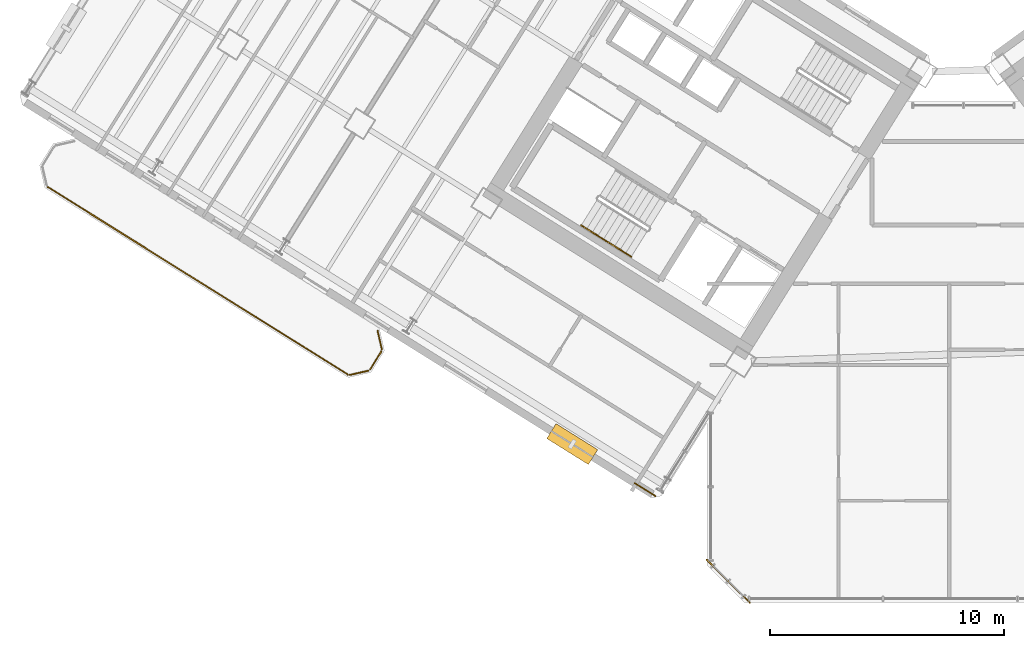
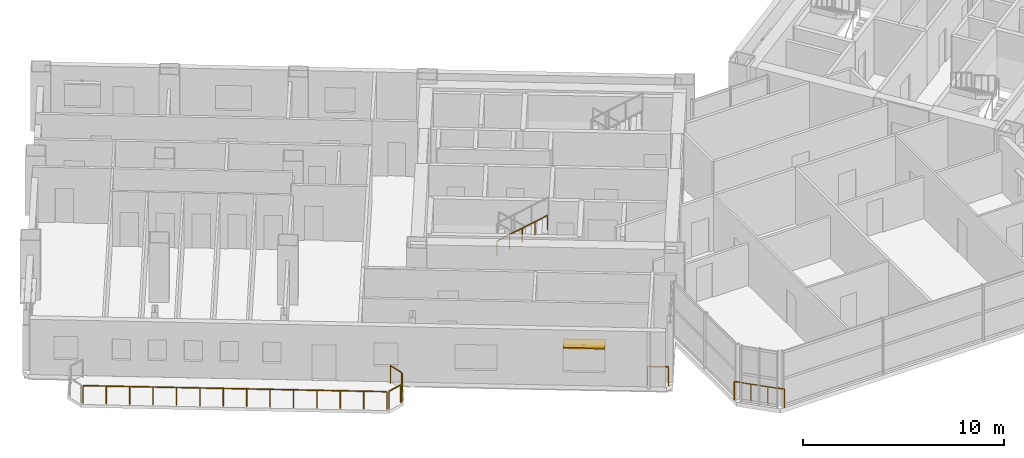
# One storey, part 21 of 24: 8 railings, 1 shading device.
"""IFC4 building model written with IfcOpenShell, lengths in metres."""

import ifcopenshell
import ifcopenshell.guid

model = None  # the IFC model being written
_history = None  # IfcOwnerHistory: only IFC2X3 demands one
_inside = {}  # id of a spatial element -> (the spatial element, [elements in it])
_under = {}  # id of a project, library or spatial element -> (it, [spatial elements below it])
_declared = {}  # id of a project -> (the project, [libraries it declares])
_typed = {}  # id of a type object -> (the type object, [elements of that type])
_made_of = {}  # id of a material, layer set ... -> (it, [elements and type objects made of it])


def new_model(schema):
    """Start an empty IFC model of exactly this schema.

    Asked for "IFC4X3", IfcOpenShell would pick the latest addendum, in which some entities
    have other attributes; the version numbers below select the first issue.
    IFC2X3 requires an IfcOwnerHistory on every rooted entity: one is made here for all.
    """
    global model, _history
    if schema == "IFC4X3":
        model = ifcopenshell.file(schema_version=(4, 3, 0, 0))
    else:
        model = ifcopenshell.file(schema=schema)
    _inside.clear()
    _under.clear()
    _declared.clear()
    _typed.clear()
    _made_of.clear()
    _history = None
    if model.schema == "IFC2X3":
        org = make("IfcOrganization", Name="unknown")
        user = make(
            "IfcPersonAndOrganization",
            ThePerson=make("IfcPerson", FamilyName="unknown"),
            TheOrganization=org,
        )
        app = make(
            "IfcApplication",
            ApplicationDeveloper=org,
            Version="unknown",
            ApplicationFullName="unknown",
            ApplicationIdentifier="unknown",
        )
        _history = make(
            "IfcOwnerHistory",
            OwningUser=user,
            OwningApplication=app,
            ChangeAction="ADDED",
            CreationDate=0,
        )
    return model


def make(cls, **values):
    """One entity of the class cls with the attributes given. An attribute that is None is left unset."""
    return model.create_entity(
        cls, **{name: value for name, value in values.items() if value is not None}
    )


def rooted(cls, **values):
    """An entity with a GlobalId (a new one), such as an element, a storey or a relation."""
    return make(cls, GlobalId=ifcopenshell.guid.new(), OwnerHistory=_history, **values)


def si_unit(unit_type, name, prefix=None):
    """IfcSIUnit, for example si_unit("LENGTHUNIT", "METRE", prefix="MILLI")."""
    return make("IfcSIUnit", UnitType=unit_type, Prefix=prefix, Name=name)


def assignment(units):
    """IfcUnitAssignment: the units of a project."""
    return None if units is None else make("IfcUnitAssignment", Units=units)


def point(xyz):
    """IfcCartesianPoint."""
    return None if xyz is None else make("IfcCartesianPoint", Coordinates=xyz)


def direction(xyz):
    """IfcDirection."""
    return None if xyz is None else make("IfcDirection", DirectionRatios=xyz)


def frame(location, z_axis=None, x_axis=None):
    """IfcAxis2Placement3D, a coordinate frame: its origin and axes. An axis left out is left unset."""
    return make(
        "IfcAxis2Placement3D",
        Location=point(location),
        Axis=direction(z_axis),
        RefDirection=direction(x_axis),
    )


def frame_2d(location, x_axis=None):
    """IfcAxis2Placement2D, a coordinate frame in the plane: its origin and x axis."""
    return make(
        "IfcAxis2Placement2D", Location=point(location), RefDirection=direction(x_axis)
    )


def origin():
    """The frame at (0, 0, 0) with its axes left unset."""
    return frame((0.0, 0.0, 0.0))


def origin_2d():
    """The frame at (0, 0) in the plane with its x axis left unset."""
    return frame_2d((0.0, 0.0))


def place(relative_to, where):
    """IfcLocalPlacement: puts the frame where relative to a parent placement (None: the world)."""
    return make(
        "IfcLocalPlacement", PlacementRelTo=relative_to, RelativePlacement=where
    )


def context(
    kind, dimensions, precision=None, world=None, true_north=None, identifier=None
):
    """IfcGeometricRepresentationContext, for example the 3D "Model" context."""
    return make(
        "IfcGeometricRepresentationContext",
        ContextIdentifier=identifier,
        ContextType=kind,
        CoordinateSpaceDimension=dimensions,
        Precision=precision,
        WorldCoordinateSystem=world,
        TrueNorth=true_north,
    )


def subcontext(parent, identifier, kind, view, scale=None):
    """IfcGeometricRepresentationSubContext, for example "Body" below "Model"."""
    return make(
        "IfcGeometricRepresentationSubContext",
        ContextIdentifier=identifier,
        ContextType=kind,
        ParentContext=parent,
        TargetScale=scale,
        TargetView=view,
    )


def project(units=None, contexts=None):
    """IfcProject with its units and contexts."""
    return rooted(
        "IfcProject",
        Name="project",
        RepresentationContexts=contexts,
        UnitsInContext=assignment(units),
    )


def spatial(cls, under=None, at=None, **own):
    """A site, building, storey or space (cls), placed at a placement, below another one or the project."""
    s = rooted(cls, ObjectPlacement=at, **own)
    if under is not None:
        _under.setdefault(under.id(), (under, []))[1].append(s)
    return s


def profile(cls, at=None, kind="AREA", **sizes):
    """A parametric profile (cls). Its sizes go by their IFC names, for example OverallWidth=200.0."""
    return make(cls, ProfileType=kind, Position=at, **sizes)


def rectangle(**sizes):
    """IfcRectangleProfileDef."""
    return profile("IfcRectangleProfileDef", **sizes)


def extrude(swept, where, along, depth):
    """IfcExtrudedAreaSolid: the profile swept, set in the frame where, extruded along a direction by depth."""
    return make(
        "IfcExtrudedAreaSolid",
        SweptArea=swept,
        Position=where,
        ExtrudedDirection=direction(along),
        Depth=depth,
    )


def shape(context_of_items, identifier, shape_type, items):
    """IfcShapeRepresentation: the items that make up one representation, for example the "Body"."""
    return make(
        "IfcShapeRepresentation",
        ContextOfItems=context_of_items,
        RepresentationIdentifier=identifier,
        RepresentationType=shape_type,
        Items=items,
    )


def source(mapping_origin, context_of_items, identifier, shape_type, items):
    """IfcRepresentationMap: a shape defined once, which mapped items show again and again."""
    return make(
        "IfcRepresentationMap",
        MappingOrigin=mapping_origin,
        MappedRepresentation=shape(context_of_items, identifier, shape_type, items),
    )


def transform(
    local_origin,
    x_axis=None,
    y_axis=None,
    z_axis=None,
    scale=None,
    scale2=None,
    scale3=None,
    uniform=True,
):
    """IfcCartesianTransformationOperator3D, or its non-uniform kind. x_axis, y_axis, z_axis: its Axis1, 2, 3."""
    if uniform:
        return make(
            "IfcCartesianTransformationOperator3D",
            Axis1=direction(x_axis),
            Axis2=direction(y_axis),
            LocalOrigin=point(local_origin),
            Scale=scale,
            Axis3=direction(z_axis),
        )
    return make(
        "IfcCartesianTransformationOperator3DnonUniform",
        Axis1=direction(x_axis),
        Axis2=direction(y_axis),
        LocalOrigin=point(local_origin),
        Scale=scale,
        Axis3=direction(z_axis),
        Scale2=scale2,
        Scale3=scale3,
    )


def mapped(mapping_source, mapping_target):
    """IfcMappedItem: shows the shape of a source again, moved by a transform."""
    return make(
        "IfcMappedItem", MappingSource=mapping_source, MappingTarget=mapping_target
    )


def material(Name=None, Category=None):
    """IfcMaterial."""
    return make("IfcMaterial", Name=Name, Category=Category)


def layer(
    of_material, thickness, ventilated=None, Name=None, Category=None, Priority=None
):
    """IfcMaterialLayer: one layer of a wall or slab, of a material (None: an air gap)."""
    return make(
        "IfcMaterialLayer",
        Material=of_material,
        LayerThickness=thickness,
        IsVentilated=ventilated,
        Name=Name,
        Category=Category,
        Priority=Priority,
    )


def layer_set(layers, Name=None):
    """IfcMaterialLayerSet."""
    return make("IfcMaterialLayerSet", MaterialLayers=layers, LayerSetName=Name)


def made_of(thing, what):
    """Note that an element or type object is made of a material, layer set ...; save() writes the relation."""
    if what is not None:
        _made_of.setdefault(what.id(), (what, []))[1].append(thing)
    return thing


def type_object(cls, material=None, **own):
    """A type object (cls), such as IfcWallType, which elements share."""
    return made_of(rooted(cls, **own), material)


def element(
    cls,
    number,
    at=None,
    inside=None,
    cuts=None,
    type_object=None,
    material=None,
    context=None,
    identifier="Body",
    shape_type=None,
    held_by="IfcProductDefinitionShape",
    body=None,
    shapes=None,
    **own,
):
    """One element of the class cls, such as IfcWall. Its Tag is "e" and its number.

    at: its placement. inside: the storey or other place that contains it. cuts: it is an
    opening in that element (IfcRelVoidsElement). A single representation is given by context,
    identifier, shape_type and body (its items); several are given by shapes. held_by: the class
    of the entity that holds the representations. save() writes the other relations.
    """
    e = rooted(cls, Tag="e%d" % number, ObjectPlacement=at, **own)
    if body is not None:
        shapes = [shape(context, identifier, shape_type, body)]
    if shapes is not None:
        e.Representation = make(held_by, Representations=shapes)
    if inside is not None:
        _inside.setdefault(inside.id(), (inside, []))[1].append(e)
    if cuts is not None:
        rooted(
            "IfcRelVoidsElement", RelatingBuildingElement=cuts, RelatedOpeningElement=e
        )
    if type_object is not None:
        _typed.setdefault(type_object.id(), (type_object, []))[1].append(e)
    return made_of(e, material)


def aggregate(whole, parts):
    """IfcRelAggregates: a whole, such as a stair, and the parts it consists of."""
    return rooted("IfcRelAggregates", RelatingObject=whole, RelatedObjects=parts)


def save(model, path):
    """Write the relations noted so far, then the file.

    IfcRelAggregates (storeys below a building ...), IfcRelContainedInSpatialStructure (elements
    in a storey), IfcRelDefinesByType, IfcRelAssociatesMaterial and IfcRelDeclares: one each for
    every whole, place, type object, material and project.
    """
    for whole, parts in _under.values():
        aggregate(whole, parts)
    for where, things in _inside.values():
        rooted(
            "IfcRelContainedInSpatialStructure",
            RelatedElements=things,
            RelatingStructure=where,
        )
    for kind, things in _typed.values():
        rooted("IfcRelDefinesByType", RelatedObjects=things, RelatingType=kind)
    for what, things in _made_of.values():
        rooted("IfcRelAssociatesMaterial", RelatedObjects=things, RelatingMaterial=what)
    for by, libraries in _declared.values():
        rooted("IfcRelDeclares", RelatingContext=by, RelatedDefinitions=libraries)
    model.write(path)


model = new_model("IFC4")

# Units and contexts
model_context = context("Model", 3, precision=1e-05, world=origin(), true_north=direction((0.0, 1.0)))
body_context = subcontext(model_context, "Body", "Model", "MODEL_VIEW")
ifc_project = project(units=[si_unit("LENGTHUNIT", "METRE"), si_unit("AREAUNIT", "SQUARE_METRE"), si_unit("VOLUMEUNIT", "CUBIC_METRE"), si_unit("PLANEANGLEUNIT", "RADIAN"), si_unit("MASSUNIT", "GRAM", prefix="KILO")], contexts=[model_context])

# Site, building, storey
site_placement = place(None, origin())
site = spatial("IfcSite", under=ifc_project, at=site_placement, CompositionType="ELEMENT")
building_placement = place(site_placement, origin())
building = spatial("IfcBuilding", under=site, at=building_placement, Name="Tlacorven Tower", CompositionType="ELEMENT")
storey_placement = place(building_placement, frame((0.0, 0.0, 31.199951171875)))
storey = spatial("IfcBuildingStorey", under=building, at=storey_placement, Name="L07", CompositionType="ELEMENT", Elevation=31.199951171875)

# Railings
ifc_material_1 = material(Name="Aluminium and painted steel balustrade", Category="steel")
railing_type_1 = type_object("IfcRailingType", Name="RL-BAL-1100", PredefinedType="BALUSTRADE", material=ifc_material_1)
shared_shape_1 = source(origin(), body_context, "Body", "SweptSolid", [
    extrude(rectangle(XDim=0.048095703125, YDim=0.048095703125, at=origin_2d()), frame((0.0, 0.0, 1.076171875), z_axis=(0.225058334816, -0.974345290916, 0.0), x_axis=(0.974345290916, 0.225058334816, 0.0)), (0.0, 0.0, 1.0), 0.80712890625),
    extrude(rectangle(XDim=0.0419921875, YDim=0.0419921875, at=origin_2d()), origin(), (0.0, 0.0, 1.0), 1.052001953125),
    extrude(rectangle(XDim=0.0419921875, YDim=0.0419921875, at=origin_2d()), frame((0.181640625, -0.786376953125, 0.0)), (0.0, 0.0, 1.0), 1.052001953125),
])
railing_1_placement = place(storey_placement, frame((17.5244140625, 13.413330078125, 0.0)))
element("IfcRailing", 1, at=railing_1_placement, inside=storey, type_object=railing_type_1, Name="BAL-L07-W-OUT Guard Railing 1", PredefinedType="BALUSTRADE", context=body_context, shape_type="MappedRepresentation", body=[
    mapped(shared_shape_1, transform((0.0, 0.0, 0.0), scale=1.0)),
])
shared_shape_2 = source(origin(), body_context, "Body", "SweptSolid", [
    extrude(rectangle(XDim=0.048095703125, YDim=0.048095703125, at=origin_2d()), frame((0.0, 0.0, 1.076171875), z_axis=(-0.52987865805, -0.848073468364, 0.0), x_axis=(0.848073468364, -0.52987865805, 0.0)), (0.0, 0.0, 1.0), 0.912353515625),
    extrude(rectangle(XDim=0.0419921875, YDim=0.0419921875, at=origin_2d()), origin(), (0.0, 0.0, 1.0), 1.052001953125),
    extrude(rectangle(XDim=0.0419921875, YDim=0.0419921875, at=origin_2d()), frame((-0.4833984375, -0.773681640625, 0.0)), (0.0, 0.0, 1.0), 1.052001953125),
])
railing_2_placement = place(storey_placement, frame((17.690673828125, 12.535888671875, 0.0)))
element("IfcRailing", 2, at=railing_2_placement, inside=storey, type_object=railing_type_1, Name="BAL-L07-W-OUT Guard Railing 2", PredefinedType="BALUSTRADE", context=body_context, shape_type="MappedRepresentation", body=[
    mapped(shared_shape_2, transform((0.0, 0.0, 0.0), scale=1.0)),
])
shared_shape_3 = source(origin(), body_context, "Body", "SweptSolid", [
    extrude(rectangle(XDim=0.048095703125, YDim=0.048095703125, at=origin_2d()), frame((0.0, 0.0, 1.076171875), z_axis=(-0.974411586182, -0.224771129628, 0.0), x_axis=(0.224771129628, -0.974411586182, 0.0)), (0.0, 0.0, 1.0), 0.80712890625),
    extrude(rectangle(XDim=0.0419921875, YDim=0.0419921875, at=origin_2d()), origin(), (0.0, 0.0, 1.0), 1.052001953125),
    extrude(rectangle(XDim=0.0419921875, YDim=0.0419921875, at=origin_2d()), frame((-0.786376953125, -0.181396484375, 0.0)), (0.0, 0.0, 1.0), 1.052001953125),
])
railing_3_placement = place(storey_placement, frame((17.132080078125, 11.70849609375, 0.0)))
element("IfcRailing", 3, at=railing_3_placement, inside=storey, type_object=railing_type_1, Name="BAL-L07-W-OUT Guard Railing 3", PredefinedType="BALUSTRADE", context=body_context, shape_type="MappedRepresentation", body=[
    mapped(shared_shape_3, transform((0.0, 0.0, 0.0), scale=1.0)),
])
shared_shape_4 = source(origin(), body_context, "Body", "SweptSolid", [
    extrude(rectangle(XDim=0.048095703125, YDim=0.048095703125, at=origin_2d()), frame((0.0, 0.0, 1.076171875), z_axis=(-0.848044572804, 0.529924902733, 0.0), x_axis=(-0.529924902733, -0.848044572804, 0.0)), (0.0, 0.0, 1.0), 15.1171875),
    extrude(rectangle(XDim=0.0419921875, YDim=0.0419921875, at=origin_2d()), origin(), (0.0, 0.0, 1.0), 1.052001953125),
    extrude(rectangle(XDim=0.0419921875, YDim=0.0419921875, at=origin_2d()), frame((-0.986083984375, 0.6162109375, 0.0)), (0.0, 0.0, 1.0), 1.052001953125),
    extrude(rectangle(XDim=0.0419921875, YDim=0.0419921875, at=origin_2d()), frame((-1.972412109375, 1.232421875, 0.0)), (0.0, 0.0, 1.0), 1.052001953125),
    extrude(rectangle(XDim=0.0419921875, YDim=0.0419921875, at=origin_2d()), frame((-2.95849609375, 1.8486328125, 0.0)), (0.0, 0.0, 1.0), 1.052001953125),
    extrude(rectangle(XDim=0.0419921875, YDim=0.0419921875, at=origin_2d()), frame((-3.944580078125, 2.46484375, 0.0)), (0.0, 0.0, 1.0), 1.052001953125),
    extrude(rectangle(XDim=0.0419921875, YDim=0.0419921875, at=origin_2d()), frame((-4.930908203125, 3.0810546875, 0.0)), (0.0, 0.0, 1.0), 1.052001953125),
    extrude(rectangle(XDim=0.0419921875, YDim=0.0419921875, at=origin_2d()), frame((-5.9169921875, 3.697265625, 0.0)), (0.0, 0.0, 1.0), 1.052001953125),
    extrude(rectangle(XDim=0.0419921875, YDim=0.0419921875, at=origin_2d()), frame((-6.903076171875, 4.313720703125, 0.0)), (0.0, 0.0, 1.0), 1.052001953125),
    extrude(rectangle(XDim=0.0419921875, YDim=0.0419921875, at=origin_2d()), frame((-7.88916015625, 4.929931640625, 0.0)), (0.0, 0.0, 1.0), 1.052001953125),
    extrude(rectangle(XDim=0.0419921875, YDim=0.0419921875, at=origin_2d()), frame((-8.87548828125, 5.546142578125, 0.0)), (0.0, 0.0, 1.0), 1.052001953125),
    extrude(rectangle(XDim=0.0419921875, YDim=0.0419921875, at=origin_2d()), frame((-9.861572265625, 6.162353515625, 0.0)), (0.0, 0.0, 1.0), 1.052001953125),
    extrude(rectangle(XDim=0.0419921875, YDim=0.0419921875, at=origin_2d()), frame((-10.84765625, 6.778564453125, 0.0)), (0.0, 0.0, 1.0), 1.052001953125),
    extrude(rectangle(XDim=0.0419921875, YDim=0.0419921875, at=origin_2d()), frame((-11.833984375, 7.394775390625, 0.0)), (0.0, 0.0, 1.0), 1.052001953125),
    extrude(rectangle(XDim=0.0419921875, YDim=0.0419921875, at=origin_2d()), frame((-12.820068359375, 8.010986328125, 0.0)), (0.0, 0.0, 1.0), 1.052001953125),
])
railing_4_placement = place(storey_placement, frame((16.254638671875, 11.542236328125, 0.0)))
element("IfcRailing", 4, at=railing_4_placement, inside=storey, type_object=railing_type_1, Name="BAL-L07-W-OUT Guard Railing 4", PredefinedType="BALUSTRADE", context=body_context, shape_type="MappedRepresentation", body=[
    mapped(shared_shape_4, transform((0.0, 0.0, 0.0), scale=1.0)),
])
railing_type_2 = type_object("IfcRailingType", Name="RL-GRD-1150", PredefinedType="GUARDRAIL", material=ifc_material_1)
shared_shape_5 = source(origin(), body_context, "Body", "SweptSolid", [
    extrude(rectangle(XDim=0.048095703125, YDim=0.048095703125, at=origin_2d()), frame((0.0, 0.0, 1.1259765625), z_axis=(-0.707106781187, 0.707106781187, 0.0), x_axis=(-0.707106781187, -0.707106781187, 0.0)), (0.0, 0.0, 1.0), 2.590087890625),
    extrude(rectangle(XDim=0.0419921875, YDim=0.0419921875, at=origin_2d()), origin(), (0.0, 0.0, 1.0), 1.101806640625),
    extrude(rectangle(XDim=0.0419921875, YDim=0.0419921875, at=origin_2d()), frame((-0.610595703125, 0.610595703125, 0.0)), (0.0, 0.0, 1.0), 1.101806640625),
    extrude(rectangle(XDim=0.0419921875, YDim=0.0419921875, at=origin_2d()), frame((-1.220947265625, 1.220947265625, 0.0)), (0.0, 0.0, 1.0), 1.101806640625),
    extrude(rectangle(XDim=0.0419921875, YDim=0.0419921875, at=origin_2d()), frame((-1.83154296875, 1.83154296875, 0.0)), (0.0, 0.0, 1.0), 1.101806640625),
])
railing_5_placement = place(storey_placement, frame((33.428955078125, 1.79736328125, 0.0)))
element("IfcRailing", 5, at=railing_5_placement, inside=storey, type_object=railing_type_2, Name="L07 Knuckle Glazed Sill Guard 1", PredefinedType="GUARDRAIL", context=body_context, shape_type="MappedRepresentation", body=[
    mapped(shared_shape_5, transform((0.0, 0.0, 0.0), scale=1.0)),
])
shared_shape_6 = source(origin(), body_context, "Body", "SweptSolid", [
    extrude(rectangle(XDim=0.048095703125, YDim=0.048095703125, at=origin_2d()), frame((0.0, 0.0, 1.1259765625), z_axis=(-0.848102774857, 0.529831749973, 0.0), x_axis=(-0.529831749973, -0.848102774857, 0.0)), (0.0, 0.0, 1.0), 1.050048828125),
    extrude(rectangle(XDim=0.0419921875, YDim=0.0419921875, at=origin_2d()), origin(), (0.0, 0.0, 1.0), 1.101806640625),
    extrude(rectangle(XDim=0.0419921875, YDim=0.0419921875, at=origin_2d()), frame((-0.890625, 0.556396484375, 0.0)), (0.0, 0.0, 1.0), 1.101806640625),
])
railing_6_placement = place(storey_placement, frame((29.39501953125, 6.35009765625, 0.0)))
element("IfcRailing", 6, at=railing_6_placement, inside=storey, type_object=railing_type_2, Name="L07 Knuckle Glazed Sill Guard 2", PredefinedType="GUARDRAIL", context=body_context, shape_type="MappedRepresentation", body=[
    mapped(shared_shape_6, transform((0.0, 0.0, 0.0), scale=1.0)),
])

# Shading device
ifc_material_2 = material(Name="Anodised bronze aluminium sunshade", Category="aluminium")
ifc_layer = layer(ifc_material_2, 0.080078125)
ifc_layer_set = layer_set([ifc_layer], Name="Anodised bronze aluminium sunshade")
shading_device_type = type_object("IfcShadingDeviceType", Name="SH-SUN-BRZ", PredefinedType="AWNING", material=ifc_layer_set)
shared_shape_7 = source(origin(), body_context, "Body", "SweptSolid", [
    extrude(rectangle(XDim=2.10009765625, YDim=0.75, at=origin_2d()), origin(), (0.0, 0.0, 1.0), 0.080078125),
])
shading_device_placement = place(storey_placement, frame((25.8427734375, 8.569580078125, 2.3701171875), z_axis=(0.0, 0.0, 1.0), x_axis=(-0.84804812172, 0.529919223323, 0.0)))
element("IfcShadingDevice", 7, at=shading_device_placement, inside=storey, type_object=shading_device_type, Name="L07 Solar Brise-Soleil Sunshade L07-01.1", PredefinedType="AWNING", context=body_context, shape_type="MappedRepresentation", body=[
    mapped(shared_shape_7, transform((0.0, 0.0, 0.0), scale=1.0)),
])

# Railings
railing_type_3 = type_object("IfcRailingType", Name="RL-HND-0900", PredefinedType="HANDRAIL", material=ifc_material_1)
shared_shape_8 = source(origin(), body_context, "Body", "SweptSolid", [
    extrude(rectangle(XDim=0.048095703125, YDim=0.048095703125, at=origin_2d()), frame((0.0, 0.0, 0.8759765625), z_axis=(0.713359751793, -0.4457479829, 0.540764828981), x_axis=(0.529911857636, 0.848052724267, 0.0)), (0.0, 0.0, 1.0), 1.498046875),
    extrude(rectangle(XDim=0.0419921875, YDim=0.0419921875, at=origin_2d()), origin(), (0.0, 0.0, 1.0), 0.851806640625),
    extrude(rectangle(XDim=0.0419921875, YDim=0.0419921875, at=origin_2d()), frame((0.5341796875, -0.333984375, 0.405029296875)), (0.0, 0.0, 1.0), 0.851806640625),
    extrude(rectangle(XDim=0.0419921875, YDim=0.0419921875, at=origin_2d()), frame((1.068603515625, -0.667724609375, 0.81005859375)), (0.0, 0.0, 1.0), 0.851806640625),
])
railing_7_placement = place(storey_placement, frame((26.228759765625, 17.915283203125, 1.97998046875)))
element("IfcRailing", 8, at=railing_7_placement, inside=storey, type_object=railing_type_3, Name="L07 ST-W1 stair handrail 3", PredefinedType="HANDRAIL", context=body_context, shape_type="MappedRepresentation", body=[
    mapped(shared_shape_8, transform((0.0, 0.0, 0.0), scale=1.0)),
])
shared_shape_9 = source(origin(), body_context, "Body", "SweptSolid", [
    extrude(rectangle(XDim=0.048095703125, YDim=0.048095703125, at=origin_2d()), frame((0.0, 0.0, 0.8759765625), z_axis=(0.713279695859, -0.445799809912, 0.540827703579), x_axis=(0.529998940003, 0.847998304005, 0.0)), (0.0, 0.0, 1.0), 1.497802734375),
    extrude(rectangle(XDim=0.0419921875, YDim=0.0419921875, at=origin_2d()), origin(), (0.0, 0.0, 1.0), 0.851806640625),
    extrude(rectangle(XDim=0.0419921875, YDim=0.0419921875, at=origin_2d()), frame((0.5341796875, -0.333984375, 0.405029296875)), (0.0, 0.0, 1.0), 0.851806640625),
    extrude(rectangle(XDim=0.0419921875, YDim=0.0419921875, at=origin_2d()), frame((1.068359375, -0.667724609375, 0.81005859375)), (0.0, 0.0, 1.0), 0.851806640625),
])
railing_8_placement = place(storey_placement, frame((27.29736328125, 17.24755859375, 2.7900390625)))
element("IfcRailing", 9, at=railing_8_placement, inside=storey, type_object=railing_type_3, Name="L07 ST-W1 stair handrail 4", PredefinedType="HANDRAIL", context=body_context, shape_type="MappedRepresentation", body=[
    mapped(shared_shape_9, transform((0.0, 0.0, 0.0), scale=1.0)),
])

save(model, "model.ifc")
